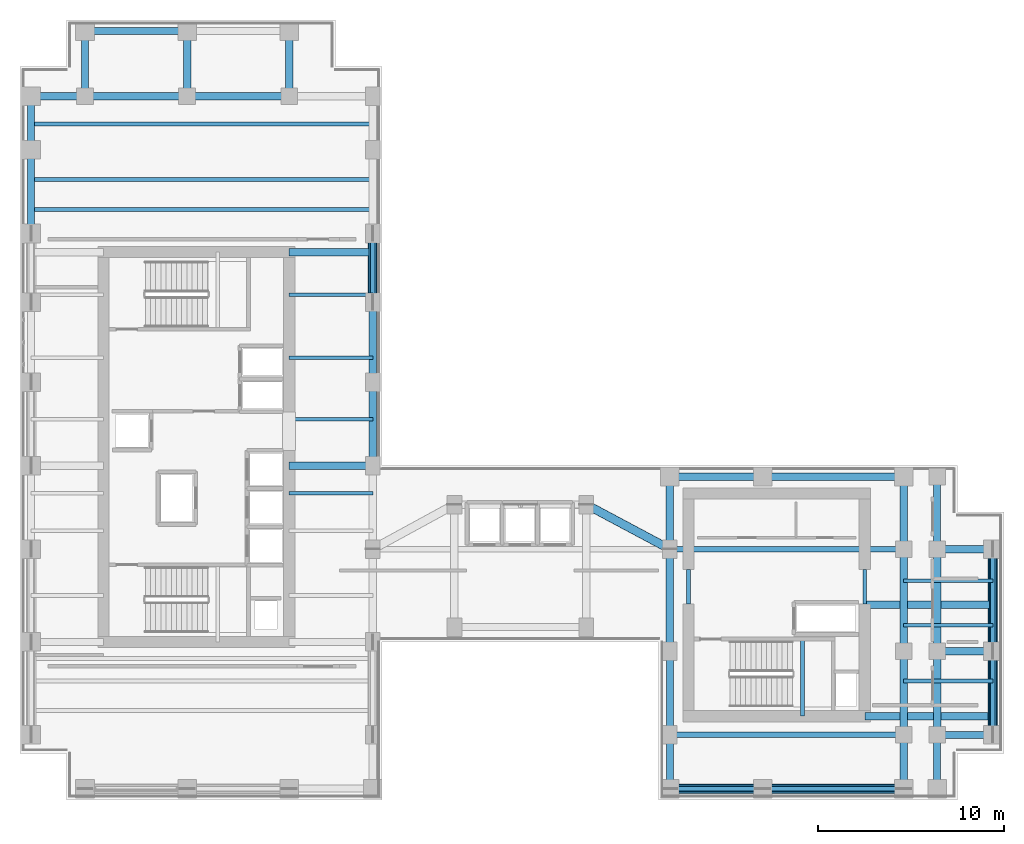
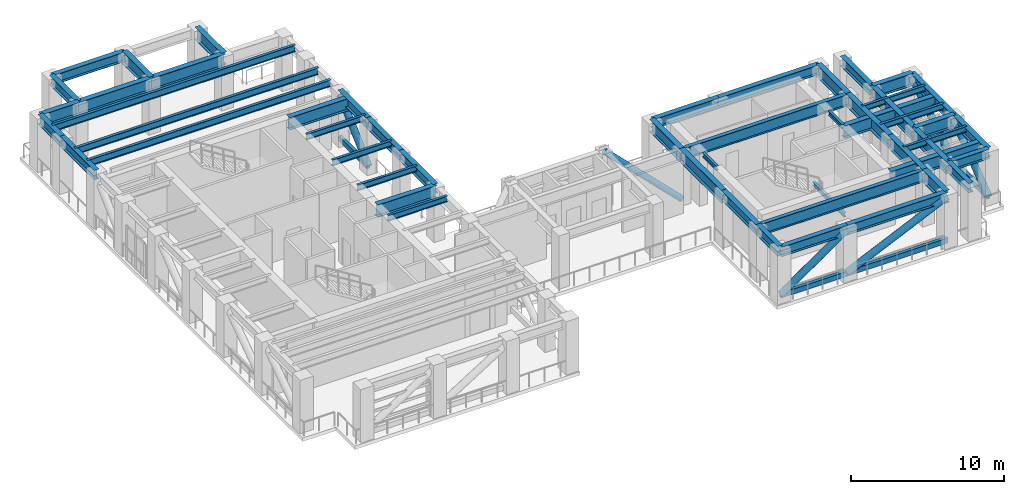
# One storey, part 5 of 14: 52 beams, 11 members.
"""IFC4 building model written with IfcOpenShell, lengths in metres."""

from ifc_helpers import new_model, si_unit, direction, frame, origin, origin_2d, place, context, subcontext, project, spatial, hollow_rectangle, hollow_circle, i_section, extrude, source, transform, mapped, material, material_profile, profile_set, type_object, element, save


model = new_model("IFC4")

# Units and contexts
model_context = context("Model", 3, precision=1e-05, world=origin(), true_north=direction((0.0, 1.0)))
body_context = subcontext(model_context, "Body", "Model", "MODEL_VIEW")
ifc_project = project(units=[si_unit("LENGTHUNIT", "METRE"), si_unit("AREAUNIT", "SQUARE_METRE"), si_unit("VOLUMEUNIT", "CUBIC_METRE"), si_unit("PLANEANGLEUNIT", "RADIAN"), si_unit("MASSUNIT", "GRAM", prefix="KILO")], contexts=[model_context])

# Site, building, storey
site_placement = place(None, origin())
site = spatial("IfcSite", under=ifc_project, at=site_placement, CompositionType="ELEMENT")
building_placement = place(site_placement, origin())
building = spatial("IfcBuilding", under=site, at=building_placement, Name="Kharzan Plaza Tower", CompositionType="ELEMENT")
storey_placement = place(building_placement, frame((0.0, 0.0, 207.89990234375)))
storey = spatial("IfcBuildingStorey", under=building, at=storey_placement, Name="L56", CompositionType="ELEMENT", Elevation=207.89990234375)

# Beams
ifc_material = material(Name="Steel S355", Category="steel")
ifc_material_profile_1 = material_profile(ifc_material, i_section(OverallWidth=0.205078125, OverallDepth=0.35400390625, WebThickness=0.009521484375, FlangeThickness=0.016845703125, at=origin_2d()), Name="W360x79")
ifc_profile_set_1 = profile_set([ifc_material_profile_1], Name="Steel S355")
beam_type_1 = type_object("IfcBeamType", Name="BM-LNT360", PredefinedType="LINTEL", material=ifc_profile_set_1)
shared_shape_1 = source(origin(), body_context, "Body", "SweptSolid", [
    extrude(i_section(OverallWidth=0.205078125, OverallDepth=0.35400390625, WebThickness=0.009521484375, FlangeThickness=0.016845703125, at=origin_2d()), origin(), (0.0, 0.0, 1.0), 1.849853515625),
])
for number, where, z_axis, x_axis, name in (
    (1, (45.5, 10.550048828125, 4.0830078125), (0.0, 1.0, 0.0), (-1.0, 0.0, 0.0), "L56 CORE-B coupling lintel LN1-WE"),
    (2, (36.0, 10.550048828125, 4.0830078125), (0.0, 1.0, 0.0), (-1.0, 0.0, 0.0), "L56 CORE-B coupling lintel LN1-WW"),
):
    element("IfcBeam", number, at=place(storey_placement, frame(where, z_axis=z_axis, x_axis=x_axis)), inside=storey, type_object=beam_type_1, Name=name, PredefinedType="LINTEL", context=body_context, shape_type="MappedRepresentation", body=[
        mapped(shared_shape_1, transform((0.0, 0.0, 0.0), x_axis=(1.0, 0.0, 0.0), y_axis=(0.0, 1.0, 0.0), z_axis=(0.0, 0.0, 1.0))),
    ])
shared_shape_2 = source(origin(), body_context, "Body", "SweptSolid", [
    extrude(i_section(OverallWidth=0.205078125, OverallDepth=0.35400390625, WebThickness=0.009521484375, FlangeThickness=0.016845703125, at=origin_2d()), origin(), (0.0, 0.0, 1.0), 4.155029296875),
])
beam_1_placement = place(storey_placement, frame((42.14990234375, 4.5, 1.873046875), z_axis=(0.0, 1.0, 0.0), x_axis=(-1.0, 0.0, 0.0)))
element("IfcBeam", 3, at=beam_1_placement, inside=storey, type_object=beam_type_1, Name="L56 Stair ST-3 Half-Landing Beam", PredefinedType="LINTEL", context=body_context, shape_type="MappedRepresentation", body=[
    mapped(shared_shape_2, transform((0.0, 0.0, 0.0), x_axis=(1.0, 0.0, 0.0), y_axis=(0.0, 1.0, 0.0), z_axis=(0.0, 0.0, 1.0))),
])
ifc_material_profile_2 = material_profile(ifc_material, i_section(OverallWidth=0.304931640625, OverallDepth=0.9189453125, WebThickness=0.017333984375, FlangeThickness=0.02783203125, at=origin_2d()), Name="W920x253")
ifc_profile_set_2 = profile_set([ifc_material_profile_2], Name="Steel S355")
beam_type_2 = type_object("IfcBeamType", Name="BM-FG920B", PredefinedType="BEAM", material=ifc_profile_set_2)
shared_shape_3 = source(origin(), body_context, "Body", "SweptSolid", [
    extrude(i_section(OverallWidth=0.304931640625, OverallDepth=0.9189453125, WebThickness=0.017333984375, FlangeThickness=0.02783203125, at=origin_2d()), origin(), (0.0, 0.0, 1.0), 12.60009765625),
])
for number, where, z_axis, x_axis, name in (
    (4, (35.0, 3.5, 3.800537109375), (1.0, 0.0, 0.0), (0.0, 1.0, 0.0), "L56 Primary Floor Girder"),
    (5, (35.0, 13.5, 3.800537109375), (1.0, 0.0, 0.0), (0.0, 1.0, 0.0), "L56 Primary Floor Girder"),
):
    element("IfcBeam", number, at=place(storey_placement, frame(where, z_axis=z_axis, x_axis=x_axis)), inside=storey, type_object=beam_type_2, Name=name, PredefinedType="BEAM", context=body_context, shape_type="MappedRepresentation", body=[
        mapped(shared_shape_3, transform((0.0, 0.0, 0.0), x_axis=(1.0, 0.0, 0.0), y_axis=(0.0, 1.0, 0.0), z_axis=(0.0, 0.0, 1.0))),
    ])
ifc_material_profile_3 = material_profile(ifc_material, i_section(OverallWidth=0.2099609375, OverallDepth=0.537109375, WebThickness=0.010986328125, FlangeThickness=0.017333984375, at=origin_2d()), Name="W530x101")
ifc_profile_set_3 = profile_set([ifc_material_profile_3], Name="Steel S355")
beam_type_3 = type_object("IfcBeamType", Name="BM-JST530B", PredefinedType="JOIST", material=ifc_profile_set_3)
shared_shape_4 = source(origin(), body_context, "Body", "SweptSolid", [
    extrude(i_section(OverallWidth=0.2099609375, OverallDepth=0.537109375, WebThickness=0.010986328125, FlangeThickness=0.017333984375, at=origin_2d()), origin(), (0.0, 0.0, 1.0), 18.39990234375),
])
for number, where, z_axis, x_axis, name in (
    (6, (0.60009765625, 31.800048828125, 3.99169921875), (1.0, 0.0, 0.0), (0.0, 1.0, 0.0), "L56 Wing A Composite Joist 04"),
    (7, (0.60009765625, 33.39990234375, 3.99169921875), (1.0, 0.0, 0.0), (0.0, 1.0, 0.0), "L56 Wing A Composite Joist 05"),
    (8, (0.60009765625, 36.39990234375, 3.99169921875), (1.0, 0.0, 0.0), (0.0, 1.0, 0.0), "L56 Wing A Composite Joist 06"),
):
    element("IfcBeam", number, at=place(storey_placement, frame(where, z_axis=z_axis, x_axis=x_axis)), inside=storey, type_object=beam_type_3, Name=name, PredefinedType="JOIST", context=body_context, shape_type="MappedRepresentation", body=[
        mapped(shared_shape_4, transform((0.0, 0.0, 0.0), x_axis=(1.0, 0.0, 0.0), y_axis=(0.0, 1.0, 0.0), z_axis=(0.0, 0.0, 1.0))),
    ])
ifc_material_profile_4 = material_profile(ifc_material, i_section(OverallWidth=0.194091796875, OverallDepth=0.468994140625, WebThickness=0.011474609375, FlangeThickness=0.0205078125, at=origin_2d()), Name="W460x106")
ifc_profile_set_4 = profile_set([ifc_material_profile_4], Name="Steel S355")
beam_type_4 = type_object("IfcBeamType", Name="BM-JST460", PredefinedType="JOIST", material=ifc_profile_set_4)
shared_shape_5 = source(origin(), body_context, "Body", "SweptSolid", [
    extrude(i_section(OverallWidth=0.194091796875, OverallDepth=0.468994140625, WebThickness=0.011474609375, FlangeThickness=0.0205078125, at=origin_2d()), origin(), (0.0, 0.0, 1.0), 4.5),
])
for number, where, z_axis, x_axis, name in (
    (9, (14.5, 16.5, 4.025634765625), (1.0, 0.0, 0.0), (0.0, 1.0, 0.0), "L56 Wing A East Infill Joist 3"),
    (10, (14.5, 20.5, 4.025634765625), (1.0, 0.0, 0.0), (0.0, 1.0, 0.0), "L56 Wing A East Infill Joist 4"),
    (11, (14.5, 23.800048828125, 4.025634765625), (1.0, 0.0, 0.0), (0.0, 1.0, 0.0), "L56 Wing A East Infill Joist 5"),
    (12, (14.5, 27.199951171875, 4.025634765625), (1.0, 0.0, 0.0), (0.0, 1.0, 0.0), "L56 Wing A East Infill Joist 6"),
):
    element("IfcBeam", number, at=place(storey_placement, frame(where, z_axis=z_axis, x_axis=x_axis)), inside=storey, type_object=beam_type_4, Name=name, PredefinedType="JOIST", context=body_context, shape_type="MappedRepresentation", body=[
        mapped(shared_shape_5, transform((0.0, 0.0, 0.0), x_axis=(1.0, 0.0, 0.0), y_axis=(0.0, 1.0, 0.0), z_axis=(0.0, 0.0, 1.0))),
    ])
ifc_material_profile_5 = material_profile(ifc_material, i_section(OverallWidth=0.39794921875, OverallDepth=1.0, WebThickness=0.017578125, FlangeThickness=0.02880859375, at=origin_2d()), Name="W1000x321")
ifc_profile_set_5 = profile_set([ifc_material_profile_5], Name="Steel S355")
beam_type_5 = type_object("IfcBeamType", Name="BM-PG1000B", PredefinedType="BEAM", material=ifc_profile_set_5)
shared_shape_6 = source(origin(), body_context, "Body", "SweptSolid", [
    extrude(i_section(OverallWidth=0.39794921875, OverallDepth=1.0, WebThickness=0.017578125, FlangeThickness=0.02880859375, at=origin_2d()), origin(), (0.0, 0.0, 1.0), 4.5),
])
for number, where, z_axis, x_axis, name in (
    (13, (14.5, 18.0, 3.760009765625), (1.0, 0.0, 0.0), (0.0, 1.0, 0.0), "L56 Core-A East Floor Girder 2"),
    (14, (14.5, 29.5, 3.760009765625), (1.0, 0.0, 0.0), (0.0, 1.0, 0.0), "L56 Core-A East Floor Girder 3"),
    (15, (47.60009765625, 3.5, 3.760009765625), (0.0, 1.0, 0.0), (-1.0, 0.0, 0.0), "L56 Interior Frame Girder"),
    (16, (49.39990234375, 3.5, 3.760009765625), (0.0, 1.0, 0.0), (-1.0, 0.0, 0.0), "L56 Interior Frame Girder"),
):
    element("IfcBeam", number, at=place(storey_placement, frame(where, z_axis=z_axis, x_axis=x_axis)), inside=storey, type_object=beam_type_5, Name=name, PredefinedType="BEAM", context=body_context, shape_type="MappedRepresentation", body=[
        mapped(shared_shape_6, transform((0.0, 0.0, 0.0), x_axis=(1.0, 0.0, 0.0), y_axis=(0.0, 1.0, 0.0), z_axis=(0.0, 0.0, 1.0))),
    ])
shared_shape_7 = source(origin(), body_context, "Body", "SweptSolid", [
    extrude(i_section(OverallWidth=0.39794921875, OverallDepth=1.0, WebThickness=0.017578125, FlangeThickness=0.02880859375, at=origin_2d()), origin(), (0.0, 0.0, 1.0), 3.89990234375),
])
for number, where, z_axis, x_axis, name in (
    (17, (35.0, 13.5, 3.760009765625), (0.0, 1.0, 0.0), (-1.0, 0.0, 0.0), "L56 Interior Frame Girder"),
    (18, (47.60009765625, 13.5, 3.760009765625), (0.0, 1.0, 0.0), (-1.0, 0.0, 0.0), "L56 Interior Frame Girder"),
):
    element("IfcBeam", number, at=place(storey_placement, frame(where, z_axis=z_axis, x_axis=x_axis)), inside=storey, type_object=beam_type_5, Name=name, PredefinedType="BEAM", context=body_context, shape_type="MappedRepresentation", body=[
        mapped(shared_shape_7, transform((0.0, 0.0, 0.0), x_axis=(1.0, 0.0, 0.0), y_axis=(0.0, 1.0, 0.0), z_axis=(0.0, 0.0, 1.0))),
    ])
shared_shape_8 = source(origin(), body_context, "Body", "SweptSolid", [
    extrude(i_section(OverallWidth=0.39794921875, OverallDepth=1.0, WebThickness=0.017578125, FlangeThickness=0.02880859375, at=origin_2d()), origin(), (0.0, 0.0, 1.0), 3.5),
])
for number, where, z_axis, x_axis, name in (
    (19, (9.0, 37.89990234375, 3.760009765625), (0.0, 1.0, 0.0), (-1.0, 0.0, 0.0), "L56 Interior Frame Girder"),
    (20, (14.5, 37.89990234375, 3.760009765625), (0.0, 1.0, 0.0), (-1.0, 0.0, 0.0), "L56 Interior Frame Girder"),
):
    element("IfcBeam", number, at=place(storey_placement, frame(where, z_axis=z_axis, x_axis=x_axis)), inside=storey, type_object=beam_type_5, Name=name, PredefinedType="BEAM", context=body_context, shape_type="MappedRepresentation", body=[
        mapped(shared_shape_8, transform((0.0, 0.0, 0.0), x_axis=(1.0, 0.0, 0.0), y_axis=(0.0, 1.0, 0.0), z_axis=(0.0, 0.0, 1.0))),
    ])
shared_shape_9 = source(origin(), body_context, "Body", "SweptSolid", [
    extrude(i_section(OverallWidth=0.39794921875, OverallDepth=1.0, WebThickness=0.017578125, FlangeThickness=0.02880859375, at=origin_2d()), origin(), (0.0, 0.0, 1.0), 5.5),
])
for number, where, z_axis, x_axis, name in (
    (21, (35.0, 8.0, 3.760009765625), (0.0, 1.0, 0.0), (-1.0, 0.0, 0.0), "L56 Interior Frame Girder"),
    (22, (47.60009765625, 8.0, 3.760009765625), (0.0, 1.0, 0.0), (-1.0, 0.0, 0.0), "L56 Interior Frame Girder"),
    (23, (49.39990234375, 8.0, 3.760009765625), (0.0, 1.0, 0.0), (-1.0, 0.0, 0.0), "L56 Interior Frame Girder"),
    (24, (3.5, 37.89990234375, 3.760009765625), (1.0, 0.0, 0.0), (0.0, 1.0, 0.0), "L56 Primary Floor Girder"),
    (25, (9.0, 37.89990234375, 3.760009765625), (1.0, 0.0, 0.0), (0.0, 1.0, 0.0), "L56 Primary Floor Girder"),
):
    element("IfcBeam", number, at=place(storey_placement, frame(where, z_axis=z_axis, x_axis=x_axis)), inside=storey, type_object=beam_type_5, Name=name, PredefinedType="BEAM", context=body_context, shape_type="MappedRepresentation", body=[
        mapped(shared_shape_9, transform((0.0, 0.0, 0.0), x_axis=(1.0, 0.0, 0.0), y_axis=(0.0, 1.0, 0.0), z_axis=(0.0, 0.0, 1.0))),
    ])
shared_shape_10 = source(origin(), body_context, "Body", "SweptSolid", [
    extrude(i_section(OverallWidth=0.39794921875, OverallDepth=1.0, WebThickness=0.017578125, FlangeThickness=0.02880859375, at=origin_2d()), origin(), (0.0, 0.0, 1.0), 2.89990234375),
])
for number, where, z_axis, x_axis, name in (
    (26, (47.60009765625, 0.60009765625, 3.760009765625), (0.0, 1.0, 0.0), (-1.0, 0.0, 0.0), "L56 Interior Frame Girder"),
    (27, (0.60009765625, 37.89990234375, 3.760009765625), (1.0, 0.0, 0.0), (0.0, 1.0, 0.0), "L56 Primary Floor Girder"),
):
    element("IfcBeam", number, at=place(storey_placement, frame(where, z_axis=z_axis, x_axis=x_axis)), inside=storey, type_object=beam_type_5, Name=name, PredefinedType="BEAM", context=body_context, shape_type="MappedRepresentation", body=[
        mapped(shared_shape_10, transform((0.0, 0.0, 0.0), x_axis=(1.0, 0.0, 0.0), y_axis=(0.0, 1.0, 0.0), z_axis=(0.0, 0.0, 1.0))),
    ])
shared_shape_11 = source(origin(), body_context, "Body", "SweptSolid", [
    extrude(i_section(OverallWidth=0.39794921875, OverallDepth=1.0, WebThickness=0.017578125, FlangeThickness=0.02880859375, at=origin_2d()), origin(), (0.0, 0.0, 1.0), 3.0),
])
for number, where, z_axis, x_axis, name in (
    (28, (49.39990234375, 8.0, 3.760009765625), (1.0, 0.0, 0.0), (0.0, 1.0, 0.0), "L56 Primary Floor Girder"),
    (29, (49.39990234375, 13.5, 3.760009765625), (1.0, 0.0, 0.0), (0.0, 1.0, 0.0), "L56 Primary Floor Girder"),
):
    element("IfcBeam", number, at=place(storey_placement, frame(where, z_axis=z_axis, x_axis=x_axis)), inside=storey, type_object=beam_type_5, Name=name, PredefinedType="BEAM", context=body_context, shape_type="MappedRepresentation", body=[
        mapped(shared_shape_11, transform((0.0, 0.0, 0.0), x_axis=(1.0, 0.0, 0.0), y_axis=(0.0, 1.0, 0.0), z_axis=(0.0, 0.0, 1.0))),
    ])

# Members
ifc_material_profile_6 = material_profile(ifc_material, hollow_rectangle(XDim=0.25, YDim=0.39990234375, WallThickness=0.01611328125, at=origin_2d()), Name="RHS400x250x16")
ifc_profile_set_6 = profile_set([ifc_material_profile_6], Name="Steel S355")
member_type_1 = type_object("IfcMemberType", Name="MEM-BT-CHORD", PredefinedType="CHORD", material=ifc_profile_set_6)
shared_shape_12 = source(origin(), body_context, "Body", "SweptSolid", [
    extrude(hollow_rectangle(XDim=0.25, YDim=0.39990234375, WallThickness=0.01611328125, at=origin_2d()), origin(), (0.0, 0.0, 1.0), 5.0),
])
member_1_placement = place(storey_placement, frame((35.0, 0.60009765625, 0.35009765625), z_axis=(1.0, 0.0, 0.0), x_axis=(0.0, 1.0, 0.0)))
element("IfcMember", 30, at=member_1_placement, inside=storey, type_object=member_type_1, Name="L56 Belt Truss Bottom Chord BTS-3", PredefinedType="CHORD", context=body_context, shape_type="MappedRepresentation", body=[
    mapped(shared_shape_12, transform((0.0, 0.0, 0.0), x_axis=(1.0, 0.0, 0.0), y_axis=(0.0, 1.0, 0.0), z_axis=(0.0, 0.0, 1.0))),
])
shared_shape_13 = source(origin(), body_context, "Body", "SweptSolid", [
    extrude(hollow_rectangle(XDim=0.25, YDim=0.39990234375, WallThickness=0.01611328125, at=origin_2d()), origin(), (0.0, 0.0, 1.0), 3.699951171875),
])
member_2_placement = place(storey_placement, frame((19.0, 26.800048828125, 0.35009765625), z_axis=(0.0, 1.0, 0.0), x_axis=(-1.0, 0.0, 0.0)))
element("IfcMember", 31, at=member_2_placement, inside=storey, type_object=member_type_1, Name="L56 Belt Truss Bottom Chord BTA-2", PredefinedType="CHORD", context=body_context, shape_type="MappedRepresentation", body=[
    mapped(shared_shape_13, transform((0.0, 0.0, 0.0), x_axis=(1.0, 0.0, 0.0), y_axis=(0.0, 1.0, 0.0), z_axis=(0.0, 0.0, 1.0))),
])
shared_shape_14 = source(origin(), body_context, "Body", "SweptSolid", [
    extrude(hollow_rectangle(XDim=0.25, YDim=0.39990234375, WallThickness=0.01611328125, at=origin_2d()), origin(), (0.0, 0.0, 1.0), 4.5),
])
member_3_placement = place(storey_placement, frame((52.39990234375, 3.5, 0.35009765625), z_axis=(0.0, 1.0, 0.0), x_axis=(-1.0, 0.0, 0.0)))
element("IfcMember", 32, at=member_3_placement, inside=storey, type_object=member_type_1, Name="L56 Belt Truss Bottom Chord BTE-1", PredefinedType="CHORD", context=body_context, shape_type="MappedRepresentation", body=[
    mapped(shared_shape_14, transform((0.0, 0.0, 0.0), x_axis=(1.0, 0.0, 0.0), y_axis=(0.0, 1.0, 0.0), z_axis=(0.0, 0.0, 1.0))),
])
shared_shape_15 = source(origin(), body_context, "Body", "SweptSolid", [
    extrude(hollow_rectangle(XDim=0.25, YDim=0.39990234375, WallThickness=0.01611328125, at=origin_2d()), origin(), (0.0, 0.0, 1.0), 5.5),
])
member_4_placement = place(storey_placement, frame((52.39990234375, 8.0, 0.35009765625), z_axis=(0.0, 1.0, 0.0), x_axis=(-1.0, 0.0, 0.0)))
element("IfcMember", 33, at=member_4_placement, inside=storey, type_object=member_type_1, Name="L56 Belt Truss Bottom Chord BTE-2", PredefinedType="CHORD", context=body_context, shape_type="MappedRepresentation", body=[
    mapped(shared_shape_15, transform((0.0, 0.0, 0.0), x_axis=(1.0, 0.0, 0.0), y_axis=(0.0, 1.0, 0.0), z_axis=(0.0, 0.0, 1.0))),
])
shared_shape_16 = source(origin(), body_context, "Body", "SweptSolid", [
    extrude(hollow_rectangle(XDim=0.25, YDim=0.39990234375, WallThickness=0.01611328125, at=origin_2d()), origin(), (0.0, 0.0, 1.0), 7.60009765625),
])
member_5_placement = place(storey_placement, frame((40.0, 0.60009765625, 0.35009765625), z_axis=(1.0, 0.0, 0.0), x_axis=(0.0, 1.0, 0.0)))
element("IfcMember", 34, at=member_5_placement, inside=storey, type_object=member_type_1, Name="L56 Belt Truss Bottom Chord BTS-4", PredefinedType="CHORD", context=body_context, shape_type="MappedRepresentation", body=[
    mapped(shared_shape_16, transform((0.0, 0.0, 0.0), x_axis=(1.0, 0.0, 0.0), y_axis=(0.0, 1.0, 0.0), z_axis=(0.0, 0.0, 1.0))),
])
ifc_material_profile_7 = material_profile(ifc_material, hollow_circle(Radius=0.25390625, WallThickness=0.02001953125, at=origin_2d()), Name="CHS508x20")
ifc_profile_set_7 = profile_set([ifc_material_profile_7], Name="Steel S355")
member_type_2 = type_object("IfcMemberType", Name="MEM-BT-DIAG", PredefinedType="BRACE", material=ifc_profile_set_7)
shared_shape_17 = source(origin(), body_context, "Body", "SweptSolid", [
    extrude(hollow_circle(Radius=0.25390625, WallThickness=0.02001953125, at=origin_2d()), origin(), (0.0, 0.0, 1.0), 6.080322265625),
])
member_6_placement = place(storey_placement, frame((35.0, 0.60009765625, 0.35009765625), z_axis=(0.822313592679, 0.0, 0.569034581809), x_axis=(0.0, 1.0, 0.0)))
element("IfcMember", 35, at=member_6_placement, inside=storey, type_object=member_type_2, Name="L56 Belt Truss Diagonal BTS-3", PredefinedType="BRACE", context=body_context, shape_type="MappedRepresentation", body=[
    mapped(shared_shape_17, transform((0.0, 0.0, 0.0), x_axis=(1.0, 0.0, 0.0), y_axis=(0.0, 1.0, 0.0), z_axis=(0.0, 0.0, 1.0))),
])
shared_shape_18 = source(origin(), body_context, "Body", "SweptSolid", [
    extrude(hollow_circle(Radius=0.25390625, WallThickness=0.02001953125, at=origin_2d()), origin(), (0.0, 0.0, 1.0), 5.065673828125),
])
member_7_placement = place(storey_placement, frame((19.0, 26.800048828125, 0.35009765625), z_axis=(0.0, 0.730397826417, 0.683021972681), x_axis=(-1.0, 0.0, 0.0)))
element("IfcMember", 36, at=member_7_placement, inside=storey, type_object=member_type_2, Name="L56 Belt Truss Diagonal BTA-2", PredefinedType="BRACE", context=body_context, shape_type="MappedRepresentation", body=[
    mapped(shared_shape_18, transform((0.0, 0.0, 0.0), x_axis=(1.0, 0.0, 0.0), y_axis=(0.0, 1.0, 0.0), z_axis=(0.0, 0.0, 1.0))),
])
shared_shape_19 = source(origin(), body_context, "Body", "SweptSolid", [
    extrude(hollow_circle(Radius=0.25390625, WallThickness=0.02001953125, at=origin_2d()), origin(), (0.0, 0.0, 1.0), 5.67626953125),
])
member_8_placement = place(storey_placement, frame((52.39990234375, 3.5, 0.35009765625), z_axis=(0.0, 0.792758275848, 0.609536148292), x_axis=(-1.0, 0.0, 0.0)))
element("IfcMember", 37, at=member_8_placement, inside=storey, type_object=member_type_2, Name="L56 Belt Truss Diagonal BTE-1", PredefinedType="BRACE", context=body_context, shape_type="MappedRepresentation", body=[
    mapped(shared_shape_19, transform((0.0, 0.0, 0.0), x_axis=(1.0, 0.0, 0.0), y_axis=(0.0, 1.0, 0.0), z_axis=(0.0, 0.0, 1.0))),
])
shared_shape_20 = source(origin(), body_context, "Body", "SweptSolid", [
    extrude(hollow_circle(Radius=0.25390625, WallThickness=0.02001953125, at=origin_2d()), origin(), (0.0, 0.0, 1.0), 6.497802734375),
])
member_9_placement = place(storey_placement, frame((52.39990234375, 8.0, 0.35009765625), z_axis=(0.0, 0.846441086953, 0.532482381228), x_axis=(-1.0, 0.0, 0.0)))
element("IfcMember", 38, at=member_9_placement, inside=storey, type_object=member_type_2, Name="L56 Belt Truss Diagonal BTE-2", PredefinedType="BRACE", context=body_context, shape_type="MappedRepresentation", body=[
    mapped(shared_shape_20, transform((0.0, 0.0, 0.0), x_axis=(1.0, 0.0, 0.0), y_axis=(0.0, 1.0, 0.0), z_axis=(0.0, 0.0, 1.0))),
])
shared_shape_21 = source(origin(), body_context, "Body", "SweptSolid", [
    extrude(hollow_circle(Radius=0.25390625, WallThickness=0.02001953125, at=origin_2d()), origin(), (0.0, 0.0, 1.0), 8.3505859375),
])
member_10_placement = place(storey_placement, frame((40.0, 0.60009765625, 0.35009765625), z_axis=(0.910124021086, 0.0, 0.414335934046), x_axis=(0.0, 1.0, 0.0)))
element("IfcMember", 39, at=member_10_placement, inside=storey, type_object=member_type_2, Name="L56 Belt Truss Diagonal BTS-4", PredefinedType="BRACE", context=body_context, shape_type="MappedRepresentation", body=[
    mapped(shared_shape_21, transform((0.0, 0.0, 0.0), x_axis=(1.0, 0.0, 0.0), y_axis=(0.0, 1.0, 0.0), z_axis=(0.0, 0.0, 1.0))),
])
ifc_material_profile_8 = material_profile(ifc_material, hollow_circle(Radius=0.228515625, WallThickness=0.01611328125, at=origin_2d()), Name="CHS457x16")
ifc_profile_set_8 = profile_set([ifc_material_profile_8], Name="Steel S355")
member_type_3 = type_object("IfcMemberType", Name="MEM-WP-STRUT", PredefinedType="STRUT", material=ifc_profile_set_8)
shared_shape_22 = source(origin(), body_context, "Body", "SweptSolid", [
    extrude(hollow_circle(Radius=0.228515625, WallThickness=0.01611328125, at=origin_2d()), origin(), (0.0, 0.0, 1.0), 6.444580078125),
])
member_11_placement = place(storey_placement, frame((35.0, 13.5, 0.2001953125), z_axis=(-0.698260685538, 0.372390545727, 0.611356930513), x_axis=(-0.470573327259, -0.882360891967, 0.0)))
element("IfcMember", 40, at=member_11_placement, inside=storey, type_object=member_type_3, Name="L56 Wind Portal Frame V-Strut East", PredefinedType="STRUT", context=body_context, shape_type="MappedRepresentation", body=[
    mapped(shared_shape_22, transform((0.0, 0.0, 0.0), x_axis=(1.0, 0.0, 0.0), y_axis=(0.0, 1.0, 0.0), z_axis=(0.0, 0.0, 1.0))),
])

# Beams
shared_shape_23 = source(origin(), body_context, "Body", "SweptSolid", [
    extrude(i_section(OverallWidth=0.194091796875, OverallDepth=0.468994140625, WebThickness=0.011474609375, FlangeThickness=0.0205078125, at=origin_2d()), origin(), (0.0, 0.0, 1.0), 4.7998046875),
])
for number, where, z_axis, x_axis, name in (
    (41, (47.60009765625, 6.39990234375, 4.025634765625), (1.0, 0.0, 0.0), (0.0, 1.0, 0.0), "L56 Wing B Composite Joist 02"),
    (42, (47.60009765625, 9.39990234375, 4.025634765625), (1.0, 0.0, 0.0), (0.0, 1.0, 0.0), "L56 Wing B Composite Joist 03"),
    (43, (47.60009765625, 11.800048828125, 4.025634765625), (1.0, 0.0, 0.0), (0.0, 1.0, 0.0), "L56 Wing B Composite Joist 04"),
):
    element("IfcBeam", number, at=place(storey_placement, frame(where, z_axis=z_axis, x_axis=x_axis)), inside=storey, type_object=beam_type_4, Name=name, PredefinedType="JOIST", context=body_context, shape_type="MappedRepresentation", body=[
        mapped(shared_shape_23, transform((0.0, 0.0, 0.0), x_axis=(1.0, 0.0, 0.0), y_axis=(0.0, 1.0, 0.0), z_axis=(0.0, 0.0, 1.0))),
    ])
ifc_material_profile_9 = material_profile(ifc_material, i_section(OverallWidth=0.381103515625, OverallDepth=0.77294921875, WebThickness=0.0166015625, FlangeThickness=0.027587890625, at=origin_2d()), Name="W760x257")
ifc_profile_set_9 = profile_set([ifc_material_profile_9], Name="Steel S355")
beam_type_6 = type_object("IfcBeamType", Name="BM-SP760A", PredefinedType="SPANDREL", material=ifc_profile_set_9)
shared_shape_24 = source(origin(), body_context, "Body", "SweptSolid", [
    extrude(i_section(OverallWidth=0.381103515625, OverallDepth=0.77294921875, WebThickness=0.0166015625, FlangeThickness=0.027587890625, at=origin_2d()), origin(), (0.0, 0.0, 1.0), 5.0),
])
for number, where, z_axis, x_axis, name in (
    (44, (35.0, 0.60009765625, 3.87353515625), (1.0, 0.0, 0.0), (0.0, 1.0, 0.0), "L56 Perimeter Tube Spandrel"),
    (45, (35.0, 17.39990234375, 3.87353515625), (1.0, 0.0, 0.0), (0.0, 1.0, 0.0), "L56 Perimeter Tube Spandrel"),
):
    element("IfcBeam", number, at=place(storey_placement, frame(where, z_axis=z_axis, x_axis=x_axis)), inside=storey, type_object=beam_type_6, Name=name, PredefinedType="SPANDREL", context=body_context, shape_type="MappedRepresentation", body=[
        mapped(shared_shape_24, transform((0.0, 0.0, 0.0), x_axis=(1.0, 0.0, 0.0), y_axis=(0.0, 1.0, 0.0), z_axis=(0.0, 0.0, 1.0))),
    ])
shared_shape_25 = source(origin(), body_context, "Body", "SweptSolid", [
    extrude(i_section(OverallWidth=0.381103515625, OverallDepth=0.77294921875, WebThickness=0.0166015625, FlangeThickness=0.027587890625, at=origin_2d()), origin(), (0.0, 0.0, 1.0), 4.5),
])
for number, where, z_axis, x_axis, name in (
    (46, (0.60009765625, 30.5, 3.87353515625), (0.0, 1.0, 0.0), (-1.0, 0.0, 0.0), "L56 Perimeter Tube Spandrel"),
    (47, (19.0, 18.0, 3.87353515625), (0.0, 1.0, 0.0), (-1.0, 0.0, 0.0), "L56 Perimeter Tube Spandrel"),
    (48, (35.0, 3.5, 3.87353515625), (0.0, 1.0, 0.0), (-1.0, 0.0, 0.0), "L56 Perimeter Tube Spandrel"),
    (49, (52.39990234375, 3.5, 3.87353515625), (0.0, 1.0, 0.0), (-1.0, 0.0, 0.0), "L56 Perimeter Tube Spandrel"),
):
    element("IfcBeam", number, at=place(storey_placement, frame(where, z_axis=z_axis, x_axis=x_axis)), inside=storey, type_object=beam_type_6, Name=name, PredefinedType="SPANDREL", context=body_context, shape_type="MappedRepresentation", body=[
        mapped(shared_shape_25, transform((0.0, 0.0, 0.0), x_axis=(1.0, 0.0, 0.0), y_axis=(0.0, 1.0, 0.0), z_axis=(0.0, 0.0, 1.0))),
    ])
shared_shape_26 = source(origin(), body_context, "Body", "SweptSolid", [
    extrude(i_section(OverallWidth=0.381103515625, OverallDepth=0.77294921875, WebThickness=0.0166015625, FlangeThickness=0.027587890625, at=origin_2d()), origin(), (0.0, 0.0, 1.0), 4.300048828125),
])
beam_2_placement = place(storey_placement, frame((19.0, 22.5, 3.87353515625), z_axis=(0.0, 1.0, 0.0), x_axis=(-1.0, 0.0, 0.0)))
element("IfcBeam", 50, at=beam_2_placement, inside=storey, type_object=beam_type_6, Name="L56 Perimeter Tube Spandrel", PredefinedType="SPANDREL", context=body_context, shape_type="MappedRepresentation", body=[
    mapped(shared_shape_26, transform((0.0, 0.0, 0.0), x_axis=(1.0, 0.0, 0.0), y_axis=(0.0, 1.0, 0.0), z_axis=(0.0, 0.0, 1.0))),
])
shared_shape_27 = source(origin(), body_context, "Body", "SweptSolid", [
    extrude(i_section(OverallWidth=0.381103515625, OverallDepth=0.77294921875, WebThickness=0.0166015625, FlangeThickness=0.027587890625, at=origin_2d()), origin(), (0.0, 0.0, 1.0), 3.699951171875),
])
beam_3_placement = place(storey_placement, frame((19.0, 26.800048828125, 3.87353515625), z_axis=(0.0, 1.0, 0.0), x_axis=(-1.0, 0.0, 0.0)))
element("IfcBeam", 51, at=beam_3_placement, inside=storey, type_object=beam_type_6, Name="L56 Perimeter Tube Spandrel", PredefinedType="SPANDREL", context=body_context, shape_type="MappedRepresentation", body=[
    mapped(shared_shape_27, transform((0.0, 0.0, 0.0), x_axis=(1.0, 0.0, 0.0), y_axis=(0.0, 1.0, 0.0), z_axis=(0.0, 0.0, 1.0))),
])
shared_shape_28 = source(origin(), body_context, "Body", "SweptSolid", [
    extrude(i_section(OverallWidth=0.381103515625, OverallDepth=0.77294921875, WebThickness=0.0166015625, FlangeThickness=0.027587890625, at=origin_2d()), origin(), (0.0, 0.0, 1.0), 2.89990234375),
])
for number, where, z_axis, x_axis, name in (
    (52, (0.60009765625, 35.0, 3.87353515625), (0.0, 1.0, 0.0), (-1.0, 0.0, 0.0), "L56 Perimeter Tube Spandrel"),
    (53, (35.0, 0.60009765625, 3.87353515625), (0.0, 1.0, 0.0), (-1.0, 0.0, 0.0), "L56 Perimeter Tube Spandrel"),
    (54, (49.39990234375, 0.60009765625, 3.87353515625), (0.0, 1.0, 0.0), (-1.0, 0.0, 0.0), "L56 Perimeter Tube Spandrel"),
):
    element("IfcBeam", number, at=place(storey_placement, frame(where, z_axis=z_axis, x_axis=x_axis)), inside=storey, type_object=beam_type_6, Name=name, PredefinedType="SPANDREL", context=body_context, shape_type="MappedRepresentation", body=[
        mapped(shared_shape_28, transform((0.0, 0.0, 0.0), x_axis=(1.0, 0.0, 0.0), y_axis=(0.0, 1.0, 0.0), z_axis=(0.0, 0.0, 1.0))),
    ])
shared_shape_29 = source(origin(), body_context, "Body", "SweptSolid", [
    extrude(i_section(OverallWidth=0.381103515625, OverallDepth=0.77294921875, WebThickness=0.0166015625, FlangeThickness=0.027587890625, at=origin_2d()), origin(), (0.0, 0.0, 1.0), 3.5),
])
beam_4_placement = place(storey_placement, frame((3.5, 37.89990234375, 3.87353515625), z_axis=(0.0, 1.0, 0.0), x_axis=(-1.0, 0.0, 0.0)))
element("IfcBeam", 55, at=beam_4_placement, inside=storey, type_object=beam_type_6, Name="L56 Perimeter Tube Spandrel", PredefinedType="SPANDREL", context=body_context, shape_type="MappedRepresentation", body=[
    mapped(shared_shape_29, transform((0.0, 0.0, 0.0), x_axis=(1.0, 0.0, 0.0), y_axis=(0.0, 1.0, 0.0), z_axis=(0.0, 0.0, 1.0))),
])
shared_shape_30 = source(origin(), body_context, "Body", "SweptSolid", [
    extrude(i_section(OverallWidth=0.381103515625, OverallDepth=0.77294921875, WebThickness=0.0166015625, FlangeThickness=0.027587890625, at=origin_2d()), origin(), (0.0, 0.0, 1.0), 3.89990234375),
])
beam_5_placement = place(storey_placement, frame((49.39990234375, 13.5, 3.87353515625), z_axis=(0.0, 1.0, 0.0), x_axis=(-1.0, 0.0, 0.0)))
element("IfcBeam", 56, at=beam_5_placement, inside=storey, type_object=beam_type_6, Name="L56 Perimeter Tube Spandrel", PredefinedType="SPANDREL", context=body_context, shape_type="MappedRepresentation", body=[
    mapped(shared_shape_30, transform((0.0, 0.0, 0.0), x_axis=(1.0, 0.0, 0.0), y_axis=(0.0, 1.0, 0.0), z_axis=(0.0, 0.0, 1.0))),
])
shared_shape_31 = source(origin(), body_context, "Body", "SweptSolid", [
    extrude(i_section(OverallWidth=0.381103515625, OverallDepth=0.77294921875, WebThickness=0.0166015625, FlangeThickness=0.027587890625, at=origin_2d()), origin(), (0.0, 0.0, 1.0), 5.5),
])
for number, where, z_axis, x_axis, name in (
    (57, (52.39990234375, 8.0, 3.87353515625), (0.0, 1.0, 0.0), (-1.0, 0.0, 0.0), "L56 Perimeter Tube Spandrel"),
    (58, (3.5, 41.39990234375, 3.87353515625), (1.0, 0.0, 0.0), (0.0, 1.0, 0.0), "L56 Perimeter Tube Spandrel"),
):
    element("IfcBeam", number, at=place(storey_placement, frame(where, z_axis=z_axis, x_axis=x_axis)), inside=storey, type_object=beam_type_6, Name=name, PredefinedType="SPANDREL", context=body_context, shape_type="MappedRepresentation", body=[
        mapped(shared_shape_31, transform((0.0, 0.0, 0.0), x_axis=(1.0, 0.0, 0.0), y_axis=(0.0, 1.0, 0.0), z_axis=(0.0, 0.0, 1.0))),
    ])
shared_shape_32 = source(origin(), body_context, "Body", "SweptSolid", [
    extrude(i_section(OverallWidth=0.381103515625, OverallDepth=0.77294921875, WebThickness=0.0166015625, FlangeThickness=0.027587890625, at=origin_2d()), origin(), (0.0, 0.0, 1.0), 7.60009765625),
])
for number, where, z_axis, x_axis, name in (
    (59, (40.0, 0.60009765625, 3.87353515625), (1.0, 0.0, 0.0), (0.0, 1.0, 0.0), "L56 Perimeter Tube Spandrel"),
    (60, (40.0, 17.39990234375, 3.87353515625), (1.0, 0.0, 0.0), (0.0, 1.0, 0.0), "L56 Perimeter Tube Spandrel"),
):
    element("IfcBeam", number, at=place(storey_placement, frame(where, z_axis=z_axis, x_axis=x_axis)), inside=storey, type_object=beam_type_6, Name=name, PredefinedType="SPANDREL", context=body_context, shape_type="MappedRepresentation", body=[
        mapped(shared_shape_32, transform((0.0, 0.0, 0.0), x_axis=(1.0, 0.0, 0.0), y_axis=(0.0, 1.0, 0.0), z_axis=(0.0, 0.0, 1.0))),
    ])
shared_shape_33 = source(origin(), body_context, "Body", "SweptSolid", [
    extrude(i_section(OverallWidth=0.381103515625, OverallDepth=0.77294921875, WebThickness=0.0166015625, FlangeThickness=0.027587890625, at=origin_2d()), origin(), (0.0, 0.0, 1.0), 3.0),
])
beam_6_placement = place(storey_placement, frame((49.39990234375, 3.5, 3.87353515625), z_axis=(1.0, 0.0, 0.0), x_axis=(0.0, 1.0, 0.0)))
element("IfcBeam", 61, at=beam_6_placement, inside=storey, type_object=beam_type_6, Name="L56 Perimeter Tube Spandrel", PredefinedType="SPANDREL", context=body_context, shape_type="MappedRepresentation", body=[
    mapped(shared_shape_33, transform((0.0, 0.0, 0.0), x_axis=(1.0, 0.0, 0.0), y_axis=(0.0, 1.0, 0.0), z_axis=(0.0, 0.0, 1.0))),
])
shared_shape_34 = source(origin(), body_context, "Body", "SweptSolid", [
    extrude(i_section(OverallWidth=0.39794921875, OverallDepth=1.0, WebThickness=0.017578125, FlangeThickness=0.02880859375, at=origin_2d()), origin(), (0.0, 0.0, 1.0), 6.89990234375),
])
for number, where, z_axis, x_axis, name in (
    (62, (45.5, 4.5, 3.760009765625), (1.0, 0.0, 0.0), (0.0, 1.0, 0.0), "L56 Core-B East Floor Girder 1"),
    (63, (45.5, 10.5, 3.760009765625), (1.0, 0.0, 0.0), (0.0, 1.0, 0.0), "L56 Core-B East Floor Girder 2"),
):
    element("IfcBeam", number, at=place(storey_placement, frame(where, z_axis=z_axis, x_axis=x_axis)), inside=storey, type_object=beam_type_5, Name=name, PredefinedType="BEAM", context=body_context, shape_type="MappedRepresentation", body=[
        mapped(shared_shape_34, transform((0.0, 0.0, 0.0), x_axis=(1.0, 0.0, 0.0), y_axis=(0.0, 1.0, 0.0), z_axis=(0.0, 0.0, 1.0))),
    ])

save(model, "model.ifc")
